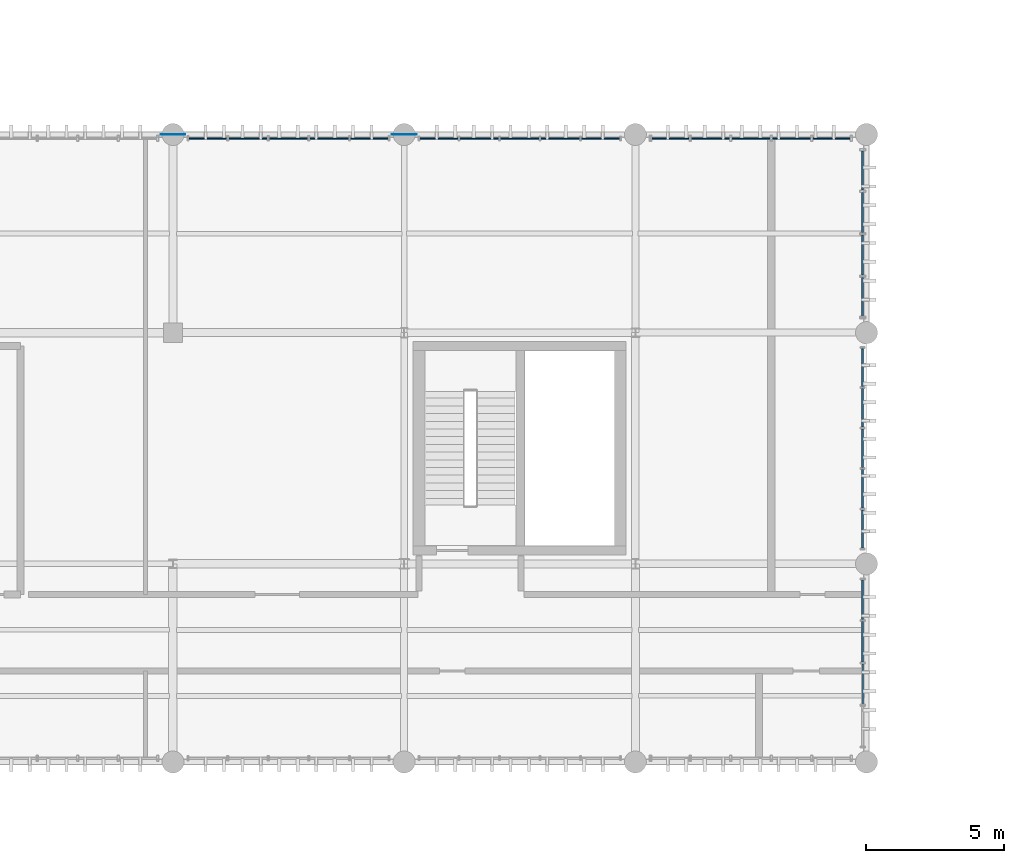
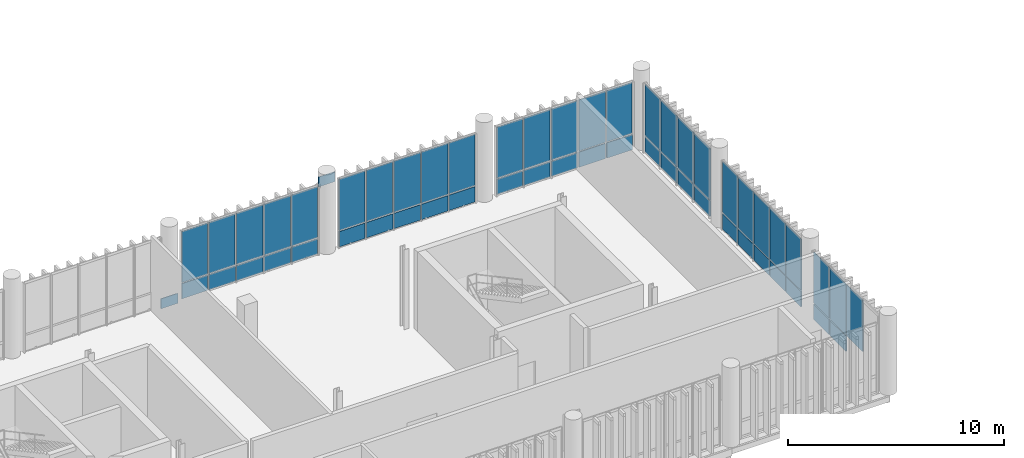
# One storey, part 54 of 68: 55 plates, 6 elements without a shape of their own.
"""IFC4 building model written with IfcOpenShell, lengths in metres."""

from ifc_helpers import new_model, si_unit, direction, frame, frame_2d, origin_with_axes, origin_2d_with_axis, place, context, subcontext, project, spatial, rectangle, extrude, material, layer, layer_set, type_object, element, aggregate, save


model = new_model("IFC4")

# Units and contexts
model_context = context("Model", 3, precision=1e-05, world=origin_with_axes(), true_north=direction((0.0, 1.0)))
body_context = subcontext(model_context, "Body", "Model", "MODEL_VIEW")
ifc_project = project(units=[si_unit("LENGTHUNIT", "METRE"), si_unit("AREAUNIT", "SQUARE_METRE"), si_unit("VOLUMEUNIT", "CUBIC_METRE"), si_unit("PLANEANGLEUNIT", "RADIAN"), si_unit("MASSUNIT", "GRAM", prefix="KILO"), si_unit("THERMODYNAMICTEMPERATUREUNIT", "KELVIN")], contexts=[model_context])

# Site, building, storey
site_placement = place(None, origin_with_axes())
site = spatial("IfcSite", under=ifc_project, at=site_placement, CompositionType="ELEMENT")
building_placement = place(site_placement, origin_with_axes())
building = spatial("IfcBuilding", under=site, at=building_placement, Name="Montbau Bow Law Courts", CompositionType="ELEMENT")
storey_placement = place(building_placement, frame((0.0, 0.0, 20.4), z_axis=(0.0, 0.0, 1.0), x_axis=(1.0, 0.0, 0.0)))
storey = spatial("IfcBuildingStorey", under=building, at=storey_placement, Name="L04", CompositionType="ELEMENT", Elevation=20.4)

# Curtain wall, plates
ifc_material_1 = material(Name="Thermally Broken Extruded Aluminium AA 6063-T6", Category="aluminium")
curtain_wall_type = type_object("IfcCurtainWallType", Name="CW-CRM-01", PredefinedType="NOTDEFINED", material=ifc_material_1)
curtain_wall_1_placement = place(None, frame((72.515, 61.66, 20.4), z_axis=(0.0, 0.0, 1.0), x_axis=(1.0, 0.0, 0.0)))
curtain_wall_1 = element("IfcCurtainWall", 1, at=curtain_wall_1_placement, inside=storey, type_object=curtain_wall_type, Name="CW-L04-202:cw_0202", PredefinedType="NOTDEFINED")
ifc_material_2 = material(Name="Triple-Glazed Low-E Argon Insulating Glass Unit", Category="glass")
ifc_layer_1 = layer(ifc_material_2, 0.044, Name="Curtain Panel", Category="glass")
ifc_layer_set_1 = layer_set([ifc_layer_1], Name="Triple-Glazed Low-E Argon Insulating Glass Unit")
plate_type_1 = type_object("IfcPlateType", Name="PL-CWP-01", PredefinedType="CURTAIN_PANEL", material=ifc_layer_set_1)
plate_1_placement = place(None, frame((72.583, 61.66, 21.382), z_axis=(0.0, -1.0, 0.0), x_axis=(1.0, 0.0, 0.0)))
plate_1 = element("IfcPlate", 2, at=plate_1_placement, type_object=plate_type_1, Name="CW-L04-202-P01-2:cw_0202_P01_2", PredefinedType="CURTAIN_PANEL", context=body_context, shape_type="SweptSolid", body=[
    extrude(rectangle(XDim=1.372, YDim=2.876, at=frame_2d((0.686, 1.438), x_axis=(1.0, 0.0))), frame((0.0, 0.0, -0.022), z_axis=(0.0, 0.0, 1.0), x_axis=(1.0, 0.0, 0.0)), (0.0, 0.0, 1.0), 0.044),
])
plate_2_placement = place(None, frame((74.023, 61.66, 21.382), z_axis=(0.0, -1.0, 0.0), x_axis=(1.0, 0.0, 0.0)))
plate_2 = element("IfcPlate", 3, at=plate_2_placement, type_object=plate_type_1, Name="CW-L04-202-P02-2:cw_0202_P02_2", PredefinedType="CURTAIN_PANEL", context=body_context, shape_type="SweptSolid", body=[
    extrude(rectangle(XDim=1.405, YDim=2.876, at=frame_2d((0.7025, 1.438), x_axis=(1.0, 0.0))), frame((0.0, 0.0, -0.022), z_axis=(0.0, 0.0, 1.0), x_axis=(1.0, 0.0, 0.0)), (0.0, 0.0, 1.0), 0.044),
])
plate_3_placement = place(None, frame((75.497, 61.66, 21.382), z_axis=(0.0, -1.0, 0.0), x_axis=(1.0, 0.0, 0.0)))
plate_3 = element("IfcPlate", 4, at=plate_3_placement, type_object=plate_type_1, Name="CW-L04-202-P03-2:cw_0202_P03_2", PredefinedType="CURTAIN_PANEL", context=body_context, shape_type="SweptSolid", body=[
    extrude(rectangle(XDim=1.406, YDim=2.876, at=frame_2d((0.703, 1.438), x_axis=(1.0, 0.0))), frame((0.0, 0.0, -0.022), z_axis=(0.0, 0.0, 1.0), x_axis=(1.0, 0.0, 0.0)), (0.0, 0.0, 1.0), 0.044),
])
plate_4_placement = place(None, frame((76.971, 61.66, 21.382), z_axis=(0.0, -1.0, 0.0), x_axis=(1.0, 0.0, 0.0)))
plate_4 = element("IfcPlate", 5, at=plate_4_placement, type_object=plate_type_1, Name="CW-L04-202-P04-2:cw_0202_P04_2", PredefinedType="CURTAIN_PANEL", context=body_context, shape_type="SweptSolid", body=[
    extrude(rectangle(XDim=1.406, YDim=2.876, at=frame_2d((0.703, 1.438), x_axis=(1.0, 0.0))), frame((0.0, 0.0, -0.022), z_axis=(0.0, 0.0, 1.0), x_axis=(1.0, 0.0, 0.0)), (0.0, 0.0, 1.0), 0.044),
])
plate_5_placement = place(None, frame((78.445, 61.66, 21.382), z_axis=(0.0, -1.0, 0.0), x_axis=(1.0, 0.0, 0.0)))
plate_5 = element("IfcPlate", 6, at=plate_5_placement, type_object=plate_type_1, Name="CW-L04-202-P05-2:cw_0202_P05_2", PredefinedType="CURTAIN_PANEL", context=body_context, shape_type="SweptSolid", body=[
    extrude(rectangle(XDim=1.374, YDim=2.876, at=frame_2d((0.687, 1.438), x_axis=(1.0, 0.0))), frame((0.0, 0.0, -0.022), z_axis=(0.0, 0.0, 1.0), x_axis=(1.0, 0.0, 0.0)), (0.0, 0.0, 1.0), 0.044),
])

curtain_wall_2_placement = place(None, frame((80.915, 61.66, 20.4), z_axis=(0.0, 0.0, 1.0), x_axis=(1.0, 0.0, 0.0)))
curtain_wall_2 = element("IfcCurtainWall", 7, at=curtain_wall_2_placement, inside=storey, type_object=curtain_wall_type, Name="CW-L04-203:cw_0203", PredefinedType="NOTDEFINED")
plate_6_placement = place(None, frame((80.977, 61.66, 21.38), z_axis=(0.0, -1.0, 0.0), x_axis=(1.0, 0.0, 0.0)))
plate_6 = element("IfcPlate", 8, at=plate_6_placement, type_object=plate_type_1, Name="CW-L04-203-P01-2:cw_0203_P01_2", PredefinedType="CURTAIN_PANEL", context=body_context, shape_type="SweptSolid", body=[
    extrude(rectangle(XDim=1.38, YDim=2.884, at=frame_2d((0.69, 1.442), x_axis=(1.0, 0.0))), frame((0.0, 0.0, -0.022), z_axis=(0.0, 0.0, 1.0), x_axis=(1.0, 0.0, 0.0)), (0.0, 0.0, 1.0), 0.044),
])
plate_7_placement = place(None, frame((82.421, 61.66, 21.38), z_axis=(0.0, -1.0, 0.0), x_axis=(1.0, 0.0, 0.0)))
plate_7 = element("IfcPlate", 9, at=plate_7_placement, type_object=plate_type_1, Name="CW-L04-203-P02-2:cw_0203_P02_2", PredefinedType="CURTAIN_PANEL", context=body_context, shape_type="SweptSolid", body=[
    extrude(rectangle(XDim=1.41, YDim=2.884, at=frame_2d((0.705, 1.442), x_axis=(1.0, 0.0))), frame((0.0, 0.0, -0.022), z_axis=(0.0, 0.0, 1.0), x_axis=(1.0, 0.0, 0.0)), (0.0, 0.0, 1.0), 0.044),
])
plate_8_placement = place(None, frame((83.895, 61.66, 21.38), z_axis=(0.0, -1.0, 0.0), x_axis=(1.0, 0.0, 0.0)))
plate_8 = element("IfcPlate", 10, at=plate_8_placement, type_object=plate_type_1, Name="CW-L04-203-P03-2:cw_0203_P03_2", PredefinedType="CURTAIN_PANEL", context=body_context, shape_type="SweptSolid", body=[
    extrude(rectangle(XDim=1.41, YDim=2.884, at=frame_2d((0.705, 1.442), x_axis=(1.0, 0.0))), frame((0.0, 0.0, -0.022), z_axis=(0.0, 0.0, 1.0), x_axis=(1.0, 0.0, 0.0)), (0.0, 0.0, 1.0), 0.044),
])
plate_9_placement = place(None, frame((85.369, 61.66, 21.38), z_axis=(0.0, -1.0, 0.0), x_axis=(1.0, 0.0, 0.0)))
plate_9 = element("IfcPlate", 11, at=plate_9_placement, type_object=plate_type_1, Name="CW-L04-203-P04-2:cw_0203_P04_2", PredefinedType="CURTAIN_PANEL", context=body_context, shape_type="SweptSolid", body=[
    extrude(rectangle(XDim=1.41, YDim=2.884, at=frame_2d((0.705, 1.442), x_axis=(1.0, 0.0))), frame((0.0, 0.0, -0.022), z_axis=(0.0, 0.0, 1.0), x_axis=(1.0, 0.0, 0.0)), (0.0, 0.0, 1.0), 0.044),
])
plate_10_placement = place(None, frame((86.843, 61.66, 21.38), z_axis=(0.0, -1.0, 0.0), x_axis=(1.0, 0.0, 0.0)))
plate_10 = element("IfcPlate", 12, at=plate_10_placement, type_object=plate_type_1, Name="CW-L04-203-P05-2:cw_0203_P05_2", PredefinedType="CURTAIN_PANEL", context=body_context, shape_type="SweptSolid", body=[
    extrude(rectangle(XDim=1.38, YDim=2.884, at=frame_2d((0.69, 1.442), x_axis=(1.0, 0.0))), frame((0.0, 0.0, -0.022), z_axis=(0.0, 0.0, 1.0), x_axis=(1.0, 0.0, 0.0)), (0.0, 0.0, 1.0), 0.044),
])

curtain_wall_3_placement = place(None, frame((89.315, 61.66, 20.4), z_axis=(0.0, 0.0, 1.0), x_axis=(1.0, 0.0, 0.0)))
curtain_wall_3 = element("IfcCurtainWall", 13, at=curtain_wall_3_placement, inside=storey, type_object=curtain_wall_type, Name="CW-L04-204:cw_0204", PredefinedType="NOTDEFINED")
plate_11_placement = place(None, frame((89.391, 61.66, 21.382), z_axis=(0.0, -1.0, 0.0), x_axis=(1.0, 0.0, 0.0)))
plate_11 = element("IfcPlate", 14, at=plate_11_placement, type_object=plate_type_1, Name="CW-L04-204-P01-2:cw_0204_P01_2", PredefinedType="CURTAIN_PANEL", context=body_context, shape_type="SweptSolid", body=[
    extrude(rectangle(XDim=1.358, YDim=2.876, at=frame_2d((0.679, 1.438), x_axis=(1.0, 0.0))), frame((0.0, 0.0, -0.022), z_axis=(0.0, 0.0, 1.0), x_axis=(1.0, 0.0, 0.0)), (0.0, 0.0, 1.0), 0.044),
])
plate_12_placement = place(None, frame((90.829, 61.66, 21.382), z_axis=(0.0, -1.0, 0.0), x_axis=(1.0, 0.0, 0.0)))
plate_12 = element("IfcPlate", 15, at=plate_12_placement, type_object=plate_type_1, Name="CW-L04-204-P02-2:cw_0204_P02_2", PredefinedType="CURTAIN_PANEL", context=body_context, shape_type="SweptSolid", body=[
    extrude(rectangle(XDim=1.395, YDim=2.876, at=frame_2d((0.6975, 1.438), x_axis=(1.0, 0.0))), frame((0.0, 0.0, -0.022), z_axis=(0.0, 0.0, 1.0), x_axis=(1.0, 0.0, 0.0)), (0.0, 0.0, 1.0), 0.044),
])
plate_13_placement = place(None, frame((92.302, 61.66, 21.382), z_axis=(0.0, -1.0, 0.0), x_axis=(1.0, 0.0, 0.0)))
plate_13 = element("IfcPlate", 16, at=plate_13_placement, type_object=plate_type_1, Name="CW-L04-204-P03-2:cw_0204_P03_2", PredefinedType="CURTAIN_PANEL", context=body_context, shape_type="SweptSolid", body=[
    extrude(rectangle(XDim=1.396, YDim=2.876, at=frame_2d((0.698, 1.438), x_axis=(1.0, 0.0))), frame((0.0, 0.0, -0.022), z_axis=(0.0, 0.0, 1.0), x_axis=(1.0, 0.0, 0.0)), (0.0, 0.0, 1.0), 0.044),
])
plate_14_placement = place(None, frame((93.776, 61.66, 21.382), z_axis=(0.0, -1.0, 0.0), x_axis=(1.0, 0.0, 0.0)))
plate_14 = element("IfcPlate", 17, at=plate_14_placement, type_object=plate_type_1, Name="CW-L04-204-P04-2:cw_0204_P04_2", PredefinedType="CURTAIN_PANEL", context=body_context, shape_type="SweptSolid", body=[
    extrude(rectangle(XDim=1.396, YDim=2.876, at=frame_2d((0.698, 1.438), x_axis=(1.0, 0.0))), frame((0.0, 0.0, -0.022), z_axis=(0.0, 0.0, 1.0), x_axis=(1.0, 0.0, 0.0)), (0.0, 0.0, 1.0), 0.044),
])
plate_15_placement = place(None, frame((95.25, 61.66, 21.382), z_axis=(0.0, -1.0, 0.0), x_axis=(1.0, 0.0, 0.0)))
plate_15 = element("IfcPlate", 18, at=plate_15_placement, type_object=plate_type_1, Name="CW-L04-204-P05-2:cw_0204_P05_2", PredefinedType="CURTAIN_PANEL", context=body_context, shape_type="SweptSolid", body=[
    extrude(rectangle(XDim=1.359, YDim=2.876, at=frame_2d((0.6795, 1.438), x_axis=(1.0, 0.0))), frame((0.0, 0.0, -0.022), z_axis=(0.0, 0.0, 1.0), x_axis=(1.0, 0.0, 0.0)), (0.0, 0.0, 1.0), 0.044),
])

curtain_wall_4_placement = place(None, frame((97.06, 39.515, 20.4), z_axis=(0.0, 0.0, 1.0), x_axis=(1.0, 0.0, 0.0)))
curtain_wall_4 = element("IfcCurtainWall", 19, at=curtain_wall_4_placement, inside=storey, type_object=curtain_wall_type, Name="CW-L04-208:cw_0208", PredefinedType="NOTDEFINED")
plate_16_placement = place(None, frame((97.06, 41.092, 21.382), z_axis=(1.0, 0.0, 0.0), x_axis=(0.0, 1.0, 0.0)))
plate_16 = element("IfcPlate", 20, at=plate_16_placement, type_object=plate_type_1, Name="CW-L04-208-P02-2:cw_0208_P02_2", PredefinedType="CURTAIN_PANEL", context=body_context, shape_type="SweptSolid", body=[
    extrude(rectangle(XDim=1.473, YDim=2.876, at=frame_2d((0.7365, 1.438), x_axis=(1.0, 0.0))), frame((0.0, 0.0, -0.022), z_axis=(0.0, 0.0, 1.0), x_axis=(1.0, 0.0, 0.0)), (0.0, 0.0, 1.0), 0.044),
])
plate_17_placement = place(None, frame((97.06, 42.634, 21.382), z_axis=(1.0, 0.0, 0.0), x_axis=(0.0, 1.0, 0.0)))
plate_17 = element("IfcPlate", 21, at=plate_17_placement, type_object=plate_type_1, Name="CW-L04-208-P03-2:cw_0208_P03_2", PredefinedType="CURTAIN_PANEL", context=body_context, shape_type="SweptSolid", body=[
    extrude(rectangle(XDim=1.475, YDim=2.876, at=frame_2d((0.7375, 1.438), x_axis=(1.0, 0.0))), frame((0.0, 0.0, -0.022), z_axis=(0.0, 0.0, 1.0), x_axis=(1.0, 0.0, 0.0)), (0.0, 0.0, 1.0), 0.044),
])
plate_18_placement = place(None, frame((97.06, 44.177, 21.382), z_axis=(1.0, 0.0, 0.0), x_axis=(0.0, 1.0, 0.0)))
plate_18 = element("IfcPlate", 22, at=plate_18_placement, type_object=plate_type_1, Name="CW-L04-208-P04-2:cw_0208_P04_2", PredefinedType="CURTAIN_PANEL", context=body_context, shape_type="SweptSolid", body=[
    extrude(rectangle(XDim=1.442, YDim=2.876, at=frame_2d((0.721, 1.438), x_axis=(1.0, 0.0))), frame((0.0, 0.0, -0.022), z_axis=(0.0, 0.0, 1.0), x_axis=(1.0, 0.0, 0.0)), (0.0, 0.0, 1.0), 0.044),
])

curtain_wall_5_placement = place(None, frame((97.06, 46.715, 20.4), z_axis=(0.0, 0.0, 1.0), x_axis=(1.0, 0.0, 0.0)))
curtain_wall_5 = element("IfcCurtainWall", 23, at=curtain_wall_5_placement, inside=storey, type_object=curtain_wall_type, Name="CW-L04-209:cw_0209", PredefinedType="NOTDEFINED")
plate_19_placement = place(None, frame((97.06, 46.777, 21.38), z_axis=(1.0, 0.0, 0.0), x_axis=(0.0, 1.0, 0.0)))
plate_19 = element("IfcPlate", 24, at=plate_19_placement, type_object=plate_type_1, Name="CW-L04-209-P01-2:cw_0209_P01_2", PredefinedType="CURTAIN_PANEL", context=body_context, shape_type="SweptSolid", body=[
    extrude(rectangle(XDim=1.38, YDim=2.884, at=frame_2d((0.69, 1.442), x_axis=(1.0, 0.0))), frame((0.0, 0.0, -0.022), z_axis=(0.0, 0.0, 1.0), x_axis=(1.0, 0.0, 0.0)), (0.0, 0.0, 1.0), 0.044),
])
plate_20_placement = place(None, frame((97.06, 48.221, 21.38), z_axis=(1.0, 0.0, 0.0), x_axis=(0.0, 1.0, 0.0)))
plate_20 = element("IfcPlate", 25, at=plate_20_placement, type_object=plate_type_1, Name="CW-L04-209-P02-2:cw_0209_P02_2", PredefinedType="CURTAIN_PANEL", context=body_context, shape_type="SweptSolid", body=[
    extrude(rectangle(XDim=1.41, YDim=2.884, at=frame_2d((0.705, 1.442), x_axis=(1.0, 0.0))), frame((0.0, 0.0, -0.022), z_axis=(0.0, 0.0, 1.0), x_axis=(1.0, 0.0, 0.0)), (0.0, 0.0, 1.0), 0.044),
])
plate_21_placement = place(None, frame((97.06, 49.695, 21.38), z_axis=(1.0, 0.0, 0.0), x_axis=(0.0, 1.0, 0.0)))
plate_21 = element("IfcPlate", 26, at=plate_21_placement, type_object=plate_type_1, Name="CW-L04-209-P03-2:cw_0209_P03_2", PredefinedType="CURTAIN_PANEL", context=body_context, shape_type="SweptSolid", body=[
    extrude(rectangle(XDim=1.41, YDim=2.884, at=frame_2d((0.705, 1.442), x_axis=(1.0, 0.0))), frame((0.0, 0.0, -0.022), z_axis=(0.0, 0.0, 1.0), x_axis=(1.0, 0.0, 0.0)), (0.0, 0.0, 1.0), 0.044),
])
plate_22_placement = place(None, frame((97.06, 51.169, 21.38), z_axis=(1.0, 0.0, 0.0), x_axis=(0.0, 1.0, 0.0)))
plate_22 = element("IfcPlate", 27, at=plate_22_placement, type_object=plate_type_1, Name="CW-L04-209-P04-2:cw_0209_P04_2", PredefinedType="CURTAIN_PANEL", context=body_context, shape_type="SweptSolid", body=[
    extrude(rectangle(XDim=1.41, YDim=2.884, at=frame_2d((0.705, 1.442), x_axis=(1.0, 0.0))), frame((0.0, 0.0, -0.022), z_axis=(0.0, 0.0, 1.0), x_axis=(1.0, 0.0, 0.0)), (0.0, 0.0, 1.0), 0.044),
])
plate_23_placement = place(None, frame((97.06, 52.643, 21.38), z_axis=(1.0, 0.0, 0.0), x_axis=(0.0, 1.0, 0.0)))
plate_23 = element("IfcPlate", 28, at=plate_23_placement, type_object=plate_type_1, Name="CW-L04-209-P05-2:cw_0209_P05_2", PredefinedType="CURTAIN_PANEL", context=body_context, shape_type="SweptSolid", body=[
    extrude(rectangle(XDim=1.38, YDim=2.884, at=frame_2d((0.69, 1.442), x_axis=(1.0, 0.0))), frame((0.0, 0.0, -0.022), z_axis=(0.0, 0.0, 1.0), x_axis=(1.0, 0.0, 0.0)), (0.0, 0.0, 1.0), 0.044),
])

curtain_wall_6_placement = place(None, frame((97.06, 55.115, 20.4), z_axis=(0.0, 0.0, 1.0), x_axis=(1.0, 0.0, 0.0)))
curtain_wall_6 = element("IfcCurtainWall", 29, at=curtain_wall_6_placement, inside=storey, type_object=curtain_wall_type, Name="CW-L04-210:cw_0210", PredefinedType="NOTDEFINED")
plate_24_placement = place(None, frame((97.06, 55.191, 21.382), z_axis=(1.0, 0.0, 0.0), x_axis=(0.0, 1.0, 0.0)))
plate_24 = element("IfcPlate", 30, at=plate_24_placement, type_object=plate_type_1, Name="CW-L04-210-P01-2:cw_0210_P01_2", PredefinedType="CURTAIN_PANEL", context=body_context, shape_type="SweptSolid", body=[
    extrude(rectangle(XDim=1.426, YDim=2.876, at=frame_2d((0.713, 1.438), x_axis=(1.0, 0.0))), frame((0.0, 0.0, -0.022), z_axis=(0.0, 0.0, 1.0), x_axis=(1.0, 0.0, 0.0)), (0.0, 0.0, 1.0), 0.044),
])
plate_25_placement = place(None, frame((97.06, 56.697, 21.382), z_axis=(1.0, 0.0, 0.0), x_axis=(0.0, 1.0, 0.0)))
plate_25 = element("IfcPlate", 31, at=plate_25_placement, type_object=plate_type_1, Name="CW-L04-210-P02-2:cw_0210_P02_2", PredefinedType="CURTAIN_PANEL", context=body_context, shape_type="SweptSolid", body=[
    extrude(rectangle(XDim=1.464, YDim=2.876, at=frame_2d((0.732, 1.438), x_axis=(1.0, 0.0))), frame((0.0, 0.0, -0.022), z_axis=(0.0, 0.0, 1.0), x_axis=(1.0, 0.0, 0.0)), (0.0, 0.0, 1.0), 0.044),
])
plate_26_placement = place(None, frame((97.06, 58.239, 21.382), z_axis=(1.0, 0.0, 0.0), x_axis=(0.0, 1.0, 0.0)))
plate_26 = element("IfcPlate", 32, at=plate_26_placement, type_object=plate_type_1, Name="CW-L04-210-P03-2:cw_0210_P03_2", PredefinedType="CURTAIN_PANEL", context=body_context, shape_type="SweptSolid", body=[
    extrude(rectangle(XDim=1.464, YDim=2.876, at=frame_2d((0.732, 1.438), x_axis=(1.0, 0.0))), frame((0.0, 0.0, -0.022), z_axis=(0.0, 0.0, 1.0), x_axis=(1.0, 0.0, 0.0)), (0.0, 0.0, 1.0), 0.044),
])
plate_27_placement = place(None, frame((97.06, 59.781, 21.382), z_axis=(1.0, 0.0, 0.0), x_axis=(0.0, 1.0, 0.0)))
plate_27 = element("IfcPlate", 33, at=plate_27_placement, type_object=plate_type_1, Name="CW-L04-210-P04-2:cw_0210_P04_2", PredefinedType="CURTAIN_PANEL", context=body_context, shape_type="SweptSolid", body=[
    extrude(rectangle(XDim=1.427, YDim=2.876, at=frame_2d((0.7135, 1.438), x_axis=(1.0, 0.0))), frame((0.0, 0.0, -0.022), z_axis=(0.0, 0.0, 1.0), x_axis=(1.0, 0.0, 0.0)), (0.0, 0.0, 1.0), 0.044),
])

# Plate
ifc_material_3 = material(Name="Insulated Ceramic-Frit Spandrel Glazing Unit", Category="glass")
ifc_layer_2 = layer(ifc_material_3, 0.056, Name="Curtain Panel", Category="glass")
ifc_layer_set_2 = layer_set([ifc_layer_2], Name="Insulated Ceramic-Frit Spandrel Glazing Unit")
plate_type_2 = type_object("IfcPlateType", Name="PL-CWP-02", PredefinedType="CURTAIN_PANEL", material=ifc_layer_set_2)
plate_28_placement = place(None, frame((72.583, 61.66, 20.462), z_axis=(0.0, -1.0, 0.0), x_axis=(1.0, 0.0, 0.0)))
plate_28 = element("IfcPlate", 34, at=plate_28_placement, type_object=plate_type_2, Name="CW-L04-202-P01-1:cw_0202_P01_1", PredefinedType="CURTAIN_PANEL", context=body_context, shape_type="SweptSolid", body=[
    extrude(rectangle(XDim=1.372, YDim=0.856, at=frame_2d((0.686, 0.428), x_axis=(1.0, 0.0))), frame((0.0, 0.0, -0.028), z_axis=(0.0, 0.0, 1.0), x_axis=(1.0, 0.0, 0.0)), (0.0, 0.0, 1.0), 0.056),
])

plate_29_placement = place(None, frame((74.023, 61.66, 20.462), z_axis=(0.0, -1.0, 0.0), x_axis=(1.0, 0.0, 0.0)))
plate_29 = element("IfcPlate", 35, at=plate_29_placement, type_object=plate_type_2, Name="CW-L04-202-P02-1:cw_0202_P02_1", PredefinedType="CURTAIN_PANEL", context=body_context, shape_type="SweptSolid", body=[
    extrude(rectangle(XDim=1.405, YDim=0.856, at=frame_2d((0.7025, 0.428), x_axis=(1.0, 0.0))), frame((0.0, 0.0, -0.028), z_axis=(0.0, 0.0, 1.0), x_axis=(1.0, 0.0, 0.0)), (0.0, 0.0, 1.0), 0.056),
])

plate_30_placement = place(None, frame((75.497, 61.66, 20.462), z_axis=(0.0, -1.0, 0.0), x_axis=(1.0, 0.0, 0.0)))
plate_30 = element("IfcPlate", 36, at=plate_30_placement, type_object=plate_type_2, Name="CW-L04-202-P03-1:cw_0202_P03_1", PredefinedType="CURTAIN_PANEL", context=body_context, shape_type="SweptSolid", body=[
    extrude(rectangle(XDim=1.406, YDim=0.856, at=frame_2d((0.703, 0.428), x_axis=(1.0, 0.0))), frame((0.0, 0.0, -0.028), z_axis=(0.0, 0.0, 1.0), x_axis=(1.0, 0.0, 0.0)), (0.0, 0.0, 1.0), 0.056),
])

plate_31_placement = place(None, frame((76.971, 61.66, 20.462), z_axis=(0.0, -1.0, 0.0), x_axis=(1.0, 0.0, 0.0)))
plate_31 = element("IfcPlate", 37, at=plate_31_placement, type_object=plate_type_2, Name="CW-L04-202-P04-1:cw_0202_P04_1", PredefinedType="CURTAIN_PANEL", context=body_context, shape_type="SweptSolid", body=[
    extrude(rectangle(XDim=1.406, YDim=0.856, at=frame_2d((0.703, 0.428), x_axis=(1.0, 0.0))), frame((0.0, 0.0, -0.028), z_axis=(0.0, 0.0, 1.0), x_axis=(1.0, 0.0, 0.0)), (0.0, 0.0, 1.0), 0.056),
])

plate_32_placement = place(None, frame((78.445, 61.66, 20.462), z_axis=(0.0, -1.0, 0.0), x_axis=(1.0, 0.0, 0.0)))
plate_32 = element("IfcPlate", 38, at=plate_32_placement, type_object=plate_type_2, Name="CW-L04-202-P05-1:cw_0202_P05_1", PredefinedType="CURTAIN_PANEL", context=body_context, shape_type="SweptSolid", body=[
    extrude(rectangle(XDim=1.374, YDim=0.856, at=frame_2d((0.687, 0.428), x_axis=(1.0, 0.0))), frame((0.0, 0.0, -0.028), z_axis=(0.0, 0.0, 1.0), x_axis=(1.0, 0.0, 0.0)), (0.0, 0.0, 1.0), 0.056),
])

aggregate(curtain_wall_1, [plate_28, plate_1, plate_29, plate_2, plate_30, plate_3, plate_31, plate_4, plate_32, plate_5])

plate_33_placement = place(None, frame((80.977, 61.66, 20.456), z_axis=(0.0, -1.0, 0.0), x_axis=(1.0, 0.0, 0.0)))
plate_33 = element("IfcPlate", 39, at=plate_33_placement, type_object=plate_type_2, Name="CW-L04-203-P01-1:cw_0203_P01_1", PredefinedType="CURTAIN_PANEL", context=body_context, shape_type="SweptSolid", body=[
    extrude(rectangle(XDim=1.38, YDim=0.865, at=frame_2d((0.69, 0.4325), x_axis=(1.0, 0.0))), frame((0.0, 0.0, -0.028), z_axis=(0.0, 0.0, 1.0), x_axis=(1.0, 0.0, 0.0)), (0.0, 0.0, 1.0), 0.056),
])

plate_34_placement = place(None, frame((82.421, 61.66, 20.456), z_axis=(0.0, -1.0, 0.0), x_axis=(1.0, 0.0, 0.0)))
plate_34 = element("IfcPlate", 40, at=plate_34_placement, type_object=plate_type_2, Name="CW-L04-203-P02-1:cw_0203_P02_1", PredefinedType="CURTAIN_PANEL", context=body_context, shape_type="SweptSolid", body=[
    extrude(rectangle(XDim=1.41, YDim=0.865, at=frame_2d((0.705, 0.4325), x_axis=(1.0, 0.0))), frame((0.0, 0.0, -0.028), z_axis=(0.0, 0.0, 1.0), x_axis=(1.0, 0.0, 0.0)), (0.0, 0.0, 1.0), 0.056),
])

plate_35_placement = place(None, frame((83.895, 61.66, 20.456), z_axis=(0.0, -1.0, 0.0), x_axis=(1.0, 0.0, 0.0)))
plate_35 = element("IfcPlate", 41, at=plate_35_placement, type_object=plate_type_2, Name="CW-L04-203-P03-1:cw_0203_P03_1", PredefinedType="CURTAIN_PANEL", context=body_context, shape_type="SweptSolid", body=[
    extrude(rectangle(XDim=1.41, YDim=0.865, at=frame_2d((0.705, 0.4325), x_axis=(1.0, 0.0))), frame((0.0, 0.0, -0.028), z_axis=(0.0, 0.0, 1.0), x_axis=(1.0, 0.0, 0.0)), (0.0, 0.0, 1.0), 0.056),
])

plate_36_placement = place(None, frame((85.369, 61.66, 20.456), z_axis=(0.0, -1.0, 0.0), x_axis=(1.0, 0.0, 0.0)))
plate_36 = element("IfcPlate", 42, at=plate_36_placement, type_object=plate_type_2, Name="CW-L04-203-P04-1:cw_0203_P04_1", PredefinedType="CURTAIN_PANEL", context=body_context, shape_type="SweptSolid", body=[
    extrude(rectangle(XDim=1.41, YDim=0.865, at=frame_2d((0.705, 0.4325), x_axis=(1.0, 0.0))), frame((0.0, 0.0, -0.028), z_axis=(0.0, 0.0, 1.0), x_axis=(1.0, 0.0, 0.0)), (0.0, 0.0, 1.0), 0.056),
])

plate_37_placement = place(None, frame((86.843, 61.66, 20.456), z_axis=(0.0, -1.0, 0.0), x_axis=(1.0, 0.0, 0.0)))
plate_37 = element("IfcPlate", 43, at=plate_37_placement, type_object=plate_type_2, Name="CW-L04-203-P05-1:cw_0203_P05_1", PredefinedType="CURTAIN_PANEL", context=body_context, shape_type="SweptSolid", body=[
    extrude(rectangle(XDim=1.38, YDim=0.865, at=frame_2d((0.69, 0.4325), x_axis=(1.0, 0.0))), frame((0.0, 0.0, -0.028), z_axis=(0.0, 0.0, 1.0), x_axis=(1.0, 0.0, 0.0)), (0.0, 0.0, 1.0), 0.056),
])

aggregate(curtain_wall_2, [plate_33, plate_6, plate_34, plate_7, plate_35, plate_8, plate_36, plate_9, plate_37, plate_10])

plate_38_placement = place(None, frame((89.391, 61.66, 20.462), z_axis=(0.0, -1.0, 0.0), x_axis=(1.0, 0.0, 0.0)))
plate_38 = element("IfcPlate", 44, at=plate_38_placement, type_object=plate_type_2, Name="CW-L04-204-P01-1:cw_0204_P01_1", PredefinedType="CURTAIN_PANEL", context=body_context, shape_type="SweptSolid", body=[
    extrude(rectangle(XDim=1.358, YDim=0.856, at=frame_2d((0.679, 0.428), x_axis=(1.0, 0.0))), frame((0.0, 0.0, -0.028), z_axis=(0.0, 0.0, 1.0), x_axis=(1.0, 0.0, 0.0)), (0.0, 0.0, 1.0), 0.056),
])

plate_39_placement = place(None, frame((90.829, 61.66, 20.462), z_axis=(0.0, -1.0, 0.0), x_axis=(1.0, 0.0, 0.0)))
plate_39 = element("IfcPlate", 45, at=plate_39_placement, type_object=plate_type_2, Name="CW-L04-204-P02-1:cw_0204_P02_1", PredefinedType="CURTAIN_PANEL", context=body_context, shape_type="SweptSolid", body=[
    extrude(rectangle(XDim=1.395, YDim=0.856, at=frame_2d((0.6975, 0.428), x_axis=(1.0, 0.0))), frame((0.0, 0.0, -0.028), z_axis=(0.0, 0.0, 1.0), x_axis=(1.0, 0.0, 0.0)), (0.0, 0.0, 1.0), 0.056),
])

plate_40_placement = place(None, frame((92.302, 61.66, 20.462), z_axis=(0.0, -1.0, 0.0), x_axis=(1.0, 0.0, 0.0)))
plate_40 = element("IfcPlate", 46, at=plate_40_placement, type_object=plate_type_2, Name="CW-L04-204-P03-1:cw_0204_P03_1", PredefinedType="CURTAIN_PANEL", context=body_context, shape_type="SweptSolid", body=[
    extrude(rectangle(XDim=1.396, YDim=0.856, at=frame_2d((0.698, 0.428), x_axis=(1.0, 0.0))), frame((0.0, 0.0, -0.028), z_axis=(0.0, 0.0, 1.0), x_axis=(1.0, 0.0, 0.0)), (0.0, 0.0, 1.0), 0.056),
])

plate_41_placement = place(None, frame((93.776, 61.66, 20.462), z_axis=(0.0, -1.0, 0.0), x_axis=(1.0, 0.0, 0.0)))
plate_41 = element("IfcPlate", 47, at=plate_41_placement, type_object=plate_type_2, Name="CW-L04-204-P04-1:cw_0204_P04_1", PredefinedType="CURTAIN_PANEL", context=body_context, shape_type="SweptSolid", body=[
    extrude(rectangle(XDim=1.396, YDim=0.856, at=frame_2d((0.698, 0.428), x_axis=(1.0, 0.0))), frame((0.0, 0.0, -0.028), z_axis=(0.0, 0.0, 1.0), x_axis=(1.0, 0.0, 0.0)), (0.0, 0.0, 1.0), 0.056),
])

plate_42_placement = place(None, frame((95.25, 61.66, 20.462), z_axis=(0.0, -1.0, 0.0), x_axis=(1.0, 0.0, 0.0)))
plate_42 = element("IfcPlate", 48, at=plate_42_placement, type_object=plate_type_2, Name="CW-L04-204-P05-1:cw_0204_P05_1", PredefinedType="CURTAIN_PANEL", context=body_context, shape_type="SweptSolid", body=[
    extrude(rectangle(XDim=1.359, YDim=0.856, at=frame_2d((0.6795, 0.428), x_axis=(1.0, 0.0))), frame((0.0, 0.0, -0.028), z_axis=(0.0, 0.0, 1.0), x_axis=(1.0, 0.0, 0.0)), (0.0, 0.0, 1.0), 0.056),
])

aggregate(curtain_wall_3, [plate_38, plate_11, plate_39, plate_12, plate_40, plate_13, plate_41, plate_14, plate_42, plate_15])

plate_43_placement = place(None, frame((97.06, 42.634, 20.462), z_axis=(1.0, 0.0, 0.0), x_axis=(0.0, 1.0, 0.0)))
plate_43 = element("IfcPlate", 49, at=plate_43_placement, type_object=plate_type_2, Name="CW-L04-208-P03-1:cw_0208_P03_1", PredefinedType="CURTAIN_PANEL", context=body_context, shape_type="SweptSolid", body=[
    extrude(rectangle(XDim=1.475, YDim=0.856, at=frame_2d((0.7375, 0.428), x_axis=(1.0, 0.0))), frame((0.0, 0.0, -0.028), z_axis=(0.0, 0.0, 1.0), x_axis=(1.0, 0.0, 0.0)), (0.0, 0.0, 1.0), 0.056),
])

plate_44_placement = place(None, frame((97.06, 44.177, 20.462), z_axis=(1.0, 0.0, 0.0), x_axis=(0.0, 1.0, 0.0)))
plate_44 = element("IfcPlate", 50, at=plate_44_placement, type_object=plate_type_2, Name="CW-L04-208-P04-1:cw_0208_P04_1", PredefinedType="CURTAIN_PANEL", context=body_context, shape_type="SweptSolid", body=[
    extrude(rectangle(XDim=1.442, YDim=0.856, at=frame_2d((0.721, 0.428), x_axis=(1.0, 0.0))), frame((0.0, 0.0, -0.028), z_axis=(0.0, 0.0, 1.0), x_axis=(1.0, 0.0, 0.0)), (0.0, 0.0, 1.0), 0.056),
])

aggregate(curtain_wall_4, [plate_16, plate_43, plate_17, plate_44, plate_18])

plate_45_placement = place(None, frame((97.06, 46.777, 20.456), z_axis=(1.0, 0.0, 0.0), x_axis=(0.0, 1.0, 0.0)))
plate_45 = element("IfcPlate", 51, at=plate_45_placement, type_object=plate_type_2, Name="CW-L04-209-P01-1:cw_0209_P01_1", PredefinedType="CURTAIN_PANEL", context=body_context, shape_type="SweptSolid", body=[
    extrude(rectangle(XDim=1.38, YDim=0.865, at=frame_2d((0.69, 0.4325), x_axis=(1.0, 0.0))), frame((0.0, 0.0, -0.028), z_axis=(0.0, 0.0, 1.0), x_axis=(1.0, 0.0, 0.0)), (0.0, 0.0, 1.0), 0.056),
])

plate_46_placement = place(None, frame((97.06, 48.221, 20.456), z_axis=(1.0, 0.0, 0.0), x_axis=(0.0, 1.0, 0.0)))
plate_46 = element("IfcPlate", 52, at=plate_46_placement, type_object=plate_type_2, Name="CW-L04-209-P02-1:cw_0209_P02_1", PredefinedType="CURTAIN_PANEL", context=body_context, shape_type="SweptSolid", body=[
    extrude(rectangle(XDim=1.41, YDim=0.865, at=frame_2d((0.705, 0.4325), x_axis=(1.0, 0.0))), frame((0.0, 0.0, -0.028), z_axis=(0.0, 0.0, 1.0), x_axis=(1.0, 0.0, 0.0)), (0.0, 0.0, 1.0), 0.056),
])

plate_47_placement = place(None, frame((97.06, 49.695, 20.456), z_axis=(1.0, 0.0, 0.0), x_axis=(0.0, 1.0, 0.0)))
plate_47 = element("IfcPlate", 53, at=plate_47_placement, type_object=plate_type_2, Name="CW-L04-209-P03-1:cw_0209_P03_1", PredefinedType="CURTAIN_PANEL", context=body_context, shape_type="SweptSolid", body=[
    extrude(rectangle(XDim=1.41, YDim=0.865, at=frame_2d((0.705, 0.4325), x_axis=(1.0, 0.0))), frame((0.0, 0.0, -0.028), z_axis=(0.0, 0.0, 1.0), x_axis=(1.0, 0.0, 0.0)), (0.0, 0.0, 1.0), 0.056),
])

plate_48_placement = place(None, frame((97.06, 51.169, 20.456), z_axis=(1.0, 0.0, 0.0), x_axis=(0.0, 1.0, 0.0)))
plate_48 = element("IfcPlate", 54, at=plate_48_placement, type_object=plate_type_2, Name="CW-L04-209-P04-1:cw_0209_P04_1", PredefinedType="CURTAIN_PANEL", context=body_context, shape_type="SweptSolid", body=[
    extrude(rectangle(XDim=1.41, YDim=0.865, at=frame_2d((0.705, 0.4325), x_axis=(1.0, 0.0))), frame((0.0, 0.0, -0.028), z_axis=(0.0, 0.0, 1.0), x_axis=(1.0, 0.0, 0.0)), (0.0, 0.0, 1.0), 0.056),
])

plate_49_placement = place(None, frame((97.06, 52.643, 20.456), z_axis=(1.0, 0.0, 0.0), x_axis=(0.0, 1.0, 0.0)))
plate_49 = element("IfcPlate", 55, at=plate_49_placement, type_object=plate_type_2, Name="CW-L04-209-P05-1:cw_0209_P05_1", PredefinedType="CURTAIN_PANEL", context=body_context, shape_type="SweptSolid", body=[
    extrude(rectangle(XDim=1.38, YDim=0.865, at=frame_2d((0.69, 0.4325), x_axis=(1.0, 0.0))), frame((0.0, 0.0, -0.028), z_axis=(0.0, 0.0, 1.0), x_axis=(1.0, 0.0, 0.0)), (0.0, 0.0, 1.0), 0.056),
])

aggregate(curtain_wall_5, [plate_45, plate_19, plate_46, plate_20, plate_47, plate_21, plate_48, plate_22, plate_49, plate_23])

plate_50_placement = place(None, frame((97.06, 55.191, 20.462), z_axis=(1.0, 0.0, 0.0), x_axis=(0.0, 1.0, 0.0)))
plate_50 = element("IfcPlate", 56, at=plate_50_placement, type_object=plate_type_2, Name="CW-L04-210-P01-1:cw_0210_P01_1", PredefinedType="CURTAIN_PANEL", context=body_context, shape_type="SweptSolid", body=[
    extrude(rectangle(XDim=1.426, YDim=0.856, at=frame_2d((0.713, 0.428), x_axis=(1.0, 0.0))), frame((0.0, 0.0, -0.028), z_axis=(0.0, 0.0, 1.0), x_axis=(1.0, 0.0, 0.0)), (0.0, 0.0, 1.0), 0.056),
])

plate_51_placement = place(None, frame((97.06, 56.697, 20.462), z_axis=(1.0, 0.0, 0.0), x_axis=(0.0, 1.0, 0.0)))
plate_51 = element("IfcPlate", 57, at=plate_51_placement, type_object=plate_type_2, Name="CW-L04-210-P02-1:cw_0210_P02_1", PredefinedType="CURTAIN_PANEL", context=body_context, shape_type="SweptSolid", body=[
    extrude(rectangle(XDim=1.464, YDim=0.856, at=frame_2d((0.732, 0.428), x_axis=(1.0, 0.0))), frame((0.0, 0.0, -0.028), z_axis=(0.0, 0.0, 1.0), x_axis=(1.0, 0.0, 0.0)), (0.0, 0.0, 1.0), 0.056),
])

plate_52_placement = place(None, frame((97.06, 58.239, 20.462), z_axis=(1.0, 0.0, 0.0), x_axis=(0.0, 1.0, 0.0)))
plate_52 = element("IfcPlate", 58, at=plate_52_placement, type_object=plate_type_2, Name="CW-L04-210-P03-1:cw_0210_P03_1", PredefinedType="CURTAIN_PANEL", context=body_context, shape_type="SweptSolid", body=[
    extrude(rectangle(XDim=1.464, YDim=0.856, at=frame_2d((0.732, 0.428), x_axis=(1.0, 0.0))), frame((0.0, 0.0, -0.028), z_axis=(0.0, 0.0, 1.0), x_axis=(1.0, 0.0, 0.0)), (0.0, 0.0, 1.0), 0.056),
])

plate_53_placement = place(None, frame((97.06, 59.781, 20.462), z_axis=(1.0, 0.0, 0.0), x_axis=(0.0, 1.0, 0.0)))
plate_53 = element("IfcPlate", 59, at=plate_53_placement, type_object=plate_type_2, Name="CW-L04-210-P04-1:cw_0210_P04_1", PredefinedType="CURTAIN_PANEL", context=body_context, shape_type="SweptSolid", body=[
    extrude(rectangle(XDim=1.427, YDim=0.856, at=frame_2d((0.7135, 0.428), x_axis=(1.0, 0.0))), frame((0.0, 0.0, -0.028), z_axis=(0.0, 0.0, 1.0), x_axis=(1.0, 0.0, 0.0)), (0.0, 0.0, 1.0), 0.056),
])

aggregate(curtain_wall_6, [plate_50, plate_24, plate_51, plate_25, plate_52, plate_26, plate_53, plate_27])

# Plates
ifc_material_4 = material(Name="Steel CSA G40.21 Grade 350WT (350 MPa)", Category="steel")
ifc_layer_3 = layer(ifc_material_4, 0.032, Name="Gusset Plate", Category="steel")
ifc_layer_set_3 = layer_set([ifc_layer_3], Name="Steel CSA G40.21 Grade 350WT (350 MPa)")
plate_type_3 = type_object("IfcPlateType", Name="PL-GUS-01", PredefinedType="USERDEFINED", material=ifc_layer_set_3)
for number, where, z_axis, x_axis, name in (
    (60, (72.0, 61.8, 20.17), (0.0, 0.0, 1.0), (1.0, 0.0, 0.0), "BGP-L04-126:plt_0157"),
    (61, (80.4, 61.8, 24.097), (0.0, 0.0, 1.0), (1.0, 0.0, 0.0), "BGP-L04-127:plt_0158"),
):
    element("IfcPlate", number, at=place(None, frame(where, z_axis=z_axis, x_axis=x_axis)), inside=storey, type_object=plate_type_3, Name=name, ObjectType="GUSSET_PLATE", PredefinedType="USERDEFINED", context=body_context, shape_type="SweptSolid", body=[
        extrude(rectangle(XDim=0.9, YDim=0.032, at=origin_2d_with_axis()), origin_with_axes(), (0.0, 0.0, 1.0), 0.56),
    ])

save(model, "model.ifc")
